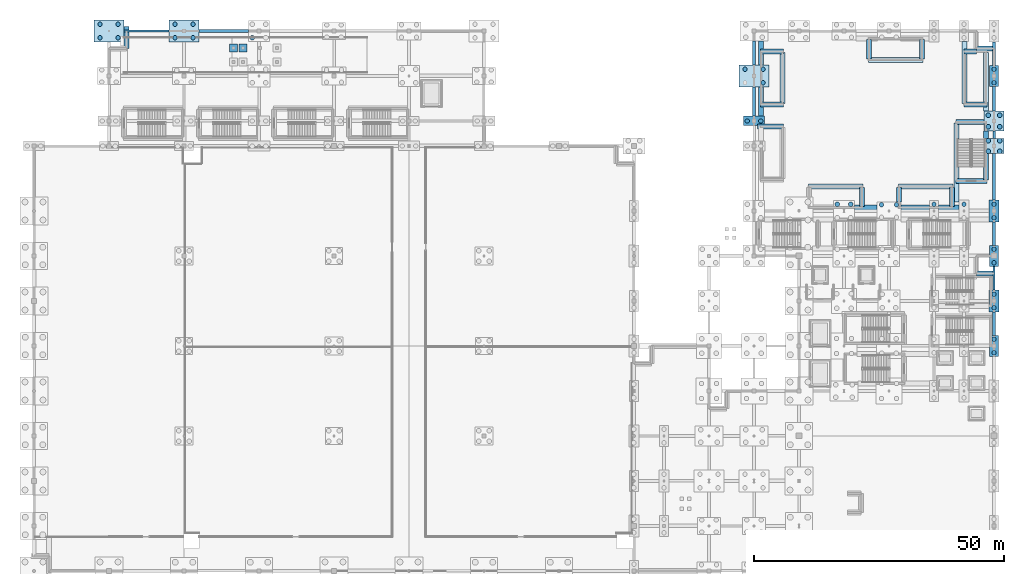
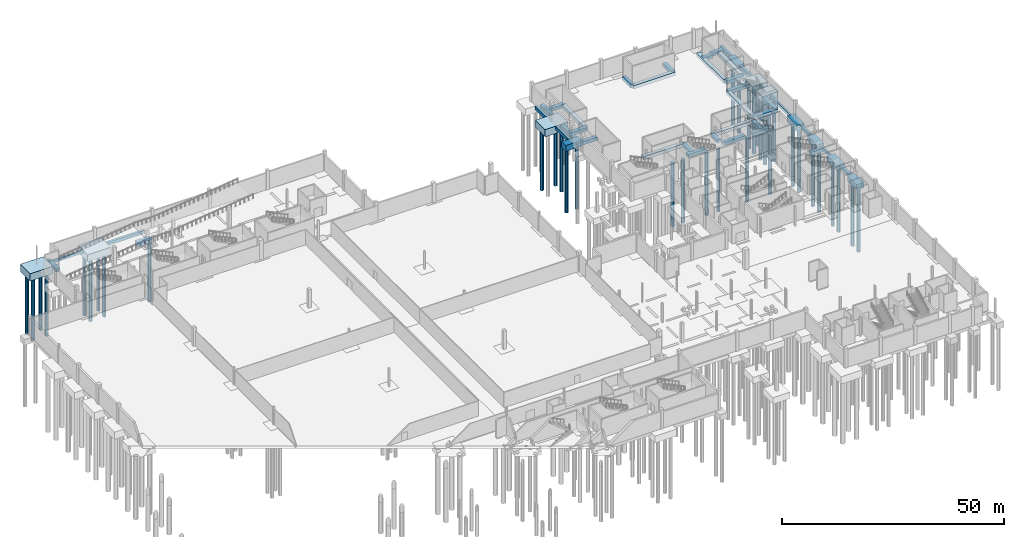
# One storey, part 10 of 58: 53 footings, 38 piles.
"""IFC4 building model written with IfcOpenShell, lengths in metres."""

from ifc_helpers import new_model, si_unit, direction, frame, origin, origin_2d, place, context, subcontext, project, spatial, rectangle, circle, extrude, material, material_profile, profile_set, type_object, element, save


model = new_model("IFC4")

# Units and contexts
model_context = context("Model", 3, precision=1e-05, world=origin(), true_north=direction((0.0, 1.0)))
body_context = subcontext(model_context, "Body", "Model", "MODEL_VIEW")
ifc_project = project(units=[si_unit("LENGTHUNIT", "METRE"), si_unit("AREAUNIT", "SQUARE_METRE"), si_unit("VOLUMEUNIT", "CUBIC_METRE"), si_unit("PLANEANGLEUNIT", "RADIAN"), si_unit("MASSUNIT", "GRAM", prefix="KILO")], contexts=[model_context])

# Site, building, storey
site_placement = place(None, origin())
site = spatial("IfcSite", under=ifc_project, at=site_placement, CompositionType="ELEMENT")
building_placement = place(site_placement, origin())
building = spatial("IfcBuilding", under=site, at=building_placement, Name="Qamarlyn Nura Convention Centre", CompositionType="ELEMENT")
storey_placement = place(building_placement, frame((0.0, 0.0, -5.39990234375)))
storey = spatial("IfcBuildingStorey", under=building, at=storey_placement, Name="B01", CompositionType="ELEMENT", Elevation=-5.39990234375)

# Footings
ifc_material = material(Name="Concrete C40/50", Category="concrete")
ifc_material_profile_1 = material_profile(ifc_material, rectangle(XDim=0.449951171875, YDim=0.75, at=origin_2d()), Name="RC GB 450x750")
ifc_profile_set_1 = profile_set([ifc_material_profile_1], Name="Concrete C40/50")
footing_type_1 = type_object("IfcFootingType", Name="GB-450X750", PredefinedType="FOOTING_BEAM", material=ifc_profile_set_1)
footing_1_placement = place(storey_placement, frame((18.0, 126.0, -0.375), z_axis=(1.0, 0.0, 0.0), x_axis=(0.0, 1.0, 0.0)))
element("IfcFooting", 1, at=footing_1_placement, inside=storey, type_object=footing_type_1, Name="Ground tie beam Q 2-3", PredefinedType="FOOTING_BEAM", context=body_context, shape_type="SweptSolid", body=[
    extrude(rectangle(XDim=0.449951171875, YDim=0.75, at=origin_2d()), origin(), (0.0, 0.0, 1.0), 9.0),
])
footing_2_placement = place(storey_placement, frame((192.0, 74.199951171875, -0.375), z_axis=(0.0, 1.0, 0.0), x_axis=(-1.0, 0.0, 0.0)))
element("IfcFooting", 2, at=footing_2_placement, inside=storey, type_object=footing_type_1, Name="Ground tie beam 18 J-K", PredefinedType="FOOTING_BEAM", context=body_context, shape_type="SweptSolid", body=[
    extrude(rectangle(XDim=0.449951171875, YDim=0.75, at=origin_2d()), origin(), (0.0, 0.0, 1.0), 4.699951171875),
])
ifc_material_profile_2 = material_profile(ifc_material, rectangle(XDim=0.5, YDim=0.800048828125, at=origin_2d()), Name="RC GB 500x800")
ifc_profile_set_2 = profile_set([ifc_material_profile_2], Name="Concrete C40/50")
footing_type_2 = type_object("IfcFootingType", Name="GB-500X800", PredefinedType="FOOTING_BEAM", material=ifc_profile_set_2)
footing_3_placement = place(storey_placement, frame((192.0, 104.5, -0.400146484375), z_axis=(0.0, 1.0, 0.0), x_axis=(-1.0, 0.0, 0.0)))
element("IfcFooting", 3, at=footing_3_placement, inside=storey, type_object=footing_type_2, Name="Ground tie beam 18 M-N", PredefinedType="FOOTING_BEAM", context=body_context, shape_type="SweptSolid", body=[
    extrude(rectangle(XDim=0.5, YDim=0.800048828125, at=origin_2d()), origin(), (0.0, 0.0, 1.0), 1.5),
])
ifc_material_profile_3 = material_profile(ifc_material, rectangle(XDim=0.550048828125, YDim=0.85009765625, at=origin_2d()), Name="RC GB 550x850")
ifc_profile_set_3 = profile_set([ifc_material_profile_3], Name="Concrete C40/50")
footing_type_3 = type_object("IfcFootingType", Name="GB-550X850", PredefinedType="FOOTING_BEAM", material=ifc_profile_set_3)
footing_4_placement = place(storey_placement, frame((192.0, 92.199951171875, -0.425048828125), z_axis=(0.0, 1.0, 0.0), x_axis=(-1.0, 0.0, 0.0)))
element("IfcFooting", 4, at=footing_4_placement, inside=storey, type_object=footing_type_3, Name="Ground tie beam 18 L-M", PredefinedType="FOOTING_BEAM", context=body_context, shape_type="SweptSolid", body=[
    extrude(rectangle(XDim=0.550048828125, YDim=0.85009765625, at=origin_2d()), origin(), (0.0, 0.0, 1.0), 9.300048828125),
])
ifc_material_profile_4 = material_profile(ifc_material, rectangle(XDim=0.60009765625, YDim=0.89990234375, at=origin_2d()), Name="RC GB 600x900")
ifc_profile_set_4 = profile_set([ifc_material_profile_4], Name="Concrete C40/50")
footing_type_4 = type_object("IfcFootingType", Name="GB-600X900", PredefinedType="FOOTING_BEAM", material=ifc_profile_set_4)
footing_5_placement = place(storey_placement, frame((33.0, 126.0, -0.4501953125), z_axis=(1.0, 0.0, 0.0), x_axis=(0.0, 1.0, 0.0)))
element("IfcFooting", 5, at=footing_5_placement, inside=storey, type_object=footing_type_4, Name="Ground tie beam Q 3-4", PredefinedType="FOOTING_BEAM", context=body_context, shape_type="SweptSolid", body=[
    extrude(rectangle(XDim=0.60009765625, YDim=0.89990234375, at=origin_2d()), origin(), (0.0, 0.0, 1.0), 9.89990234375),
])
footing_6_placement = place(storey_placement, frame((192.0, 83.10009765625, -0.4501953125), z_axis=(0.0, 1.0, 0.0), x_axis=(-1.0, 0.0, 0.0)))
element("IfcFooting", 6, at=footing_6_placement, inside=storey, type_object=footing_type_4, Name="Ground tie beam 18 K-L", PredefinedType="FOOTING_BEAM", context=body_context, shape_type="SweptSolid", body=[
    extrude(rectangle(XDim=0.60009765625, YDim=0.89990234375, at=origin_2d()), origin(), (0.0, 0.0, 1.0), 4.699951171875),
])
ifc_material_profile_5 = material_profile(ifc_material, rectangle(XDim=0.64990234375, YDim=0.949951171875, at=origin_2d()), Name="RC GB 650x950")
ifc_profile_set_5 = profile_set([ifc_material_profile_5], Name="Concrete C40/50")
footing_type_5 = type_object("IfcFootingType", Name="GB-650X950", PredefinedType="FOOTING_BEAM", material=ifc_profile_set_5)
footing_7_placement = place(storey_placement, frame((144.0, 108.949951171875, -0.47509765625), z_axis=(0.0, 1.0, 0.0), x_axis=(-1.0, 0.0, 0.0)))
element("IfcFooting", 7, at=footing_7_placement, inside=storey, type_object=footing_type_5, Name="Ground tie beam 12 N-P", PredefinedType="FOOTING_BEAM", context=body_context, shape_type="SweptSolid", body=[
    extrude(rectangle(XDim=0.64990234375, YDim=0.949951171875, at=origin_2d()), origin(), (0.0, 0.0, 1.0), 5.85009765625),
])
footing_8_placement = place(storey_placement, frame((192.0, 110.0, -0.47509765625), z_axis=(0.0, 1.0, 0.0), x_axis=(-1.0, 0.0, 0.0)))
element("IfcFooting", 8, at=footing_8_placement, inside=storey, type_object=footing_type_5, Name="Ground tie beam 18 N-P", PredefinedType="FOOTING_BEAM", context=body_context, shape_type="SweptSolid", body=[
    extrude(rectangle(XDim=0.64990234375, YDim=0.949951171875, at=origin_2d()), origin(), (0.0, 0.0, 1.0), 4.89990234375),
])
ifc_material_profile_6 = material_profile(ifc_material, rectangle(XDim=0.699951171875, YDim=1.0, at=origin_2d()), Name="RC GB 700x1000")
ifc_profile_set_6 = profile_set([ifc_material_profile_6], Name="Concrete C40/50")
footing_type_6 = type_object("IfcFootingType", Name="GB-700X1000", PredefinedType="FOOTING_BEAM", material=ifc_profile_set_6)
footing_9_placement = place(storey_placement, frame((144.0, 119.199951171875, -0.5), z_axis=(0.0, 1.0, 0.0), x_axis=(-1.0, 0.0, 0.0)))
element("IfcFooting", 9, at=footing_9_placement, inside=storey, type_object=footing_type_6, Name="Ground tie beam 12 P-Q", PredefinedType="FOOTING_BEAM", context=body_context, shape_type="SweptSolid", body=[
    extrude(rectangle(XDim=0.699951171875, YDim=1.0, at=origin_2d()), origin(), (0.0, 0.0, 1.0), 4.800048828125),
])
for number, where, z_axis, x_axis, name in (
    (10, (192.0, 65.10009765625, -0.5), (0.0, 1.0, 0.0), (-1.0, 0.0, 0.0), "Ground tie beam 18 H-J"),
    (11, (192.0, 119.10009765625, -0.5), (0.0, 1.0, 0.0), (-1.0, 0.0, 0.0), "Ground tie beam 18 P-Q"),
):
    element("IfcFooting", number, at=place(storey_placement, frame(where, z_axis=z_axis, x_axis=x_axis)), inside=storey, type_object=footing_type_6, Name=name, PredefinedType="FOOTING_BEAM", context=body_context, shape_type="SweptSolid", body=[
        extrude(rectangle(XDim=0.699951171875, YDim=1.0, at=origin_2d()), origin(), (0.0, 0.0, 1.0), 4.699951171875),
    ])
footing_type_7 = type_object("IfcFootingType", Name="PC-CORE-60X44", PredefinedType="PILE_CAP", material=ifc_material)
for number, where, z_axis, x_axis, name in (
    (12, (15.0, 126.0, -2.0), (0.0, 0.0, 1.0), (1.0, 0.0, 0.0), "Pile cap CAP-2-Q"),
    (13, (30.0, 126.0, -2.0), (0.0, 0.0, 1.0), (1.0, 0.0, 0.0), "Pile cap CAP-3-Q"),
    (14, (144.0, 117.0, -2.0), (0.0, 0.0, 1.0), (1.0, 0.0, 0.0), "Pile cap CAP-12-P"),
):
    element("IfcFooting", number, at=place(storey_placement, frame(where, z_axis=z_axis, x_axis=x_axis)), inside=storey, type_object=footing_type_7, Name=name, PredefinedType="PILE_CAP", context=body_context, shape_type="SweptSolid", body=[
        extrude(rectangle(XDim=6.0, YDim=4.39990234375, at=origin_2d()), origin(), (0.0, 0.0, 1.0), 2.0),
    ])
footing_type_8 = type_object("IfcFootingType", Name="PC-PAIR-19X42", PredefinedType="PILE_CAP", material=ifc_material)
for number, where, z_axis, x_axis, name in (
    (15, (192.0, 63.0, -1.55029296875), (0.0, 0.0, 1.0), (1.0, 0.0, 0.0), "Pile cap CAP-18-H"),
    (16, (192.0, 81.0, -1.55029296875), (0.0, 0.0, 1.0), (1.0, 0.0, 0.0), "Pile cap CAP-18-K"),
    (17, (192.0, 117.0, -1.55029296875), (0.0, 0.0, 1.0), (1.0, 0.0, 0.0), "Pile cap CAP-18-P"),
):
    element("IfcFooting", number, at=place(storey_placement, frame(where, z_axis=z_axis, x_axis=x_axis)), inside=storey, type_object=footing_type_8, Name=name, PredefinedType="PILE_CAP", context=body_context, shape_type="SweptSolid", body=[
        extrude(rectangle(XDim=1.89990234375, YDim=4.199951171875, at=origin_2d()), origin(), (0.0, 0.0, 1.0), 1.550048828125),
    ])
footing_type_9 = type_object("IfcFootingType", Name="PC-PAIR-20X44", PredefinedType="PILE_CAP", material=ifc_material)
for number, where, z_axis, x_axis, name in (
    (18, (192.0, 72.0, -1.650146484375), (0.0, 0.0, 1.0), (1.0, 0.0, 0.0), "Pile cap CAP-18-J"),
    (19, (192.0, 90.0, -1.650146484375), (0.0, 0.0, 1.0), (1.0, 0.0, 0.0), "Pile cap CAP-18-L"),
):
    element("IfcFooting", number, at=place(storey_placement, frame(where, z_axis=z_axis, x_axis=x_axis)), inside=storey, type_object=footing_type_9, Name=name, PredefinedType="PILE_CAP", context=body_context, shape_type="SweptSolid", body=[
        extrude(rectangle(XDim=2.0, YDim=4.39990234375, at=origin_2d()), origin(), (0.0, 0.0, 1.0), 1.64990234375),
    ])
footing_type_10 = type_object("IfcFootingType", Name="PC-PAIR-42X19", PredefinedType="PILE_CAP", material=ifc_material)
footing_10_placement = place(storey_placement, frame((144.0, 108.0, -1.60009765625), z_axis=(0.0, 0.0, 1.0), x_axis=(1.0, 0.0, 0.0)))
element("IfcFooting", 20, at=footing_10_placement, inside=storey, type_object=footing_type_10, Name="Pile cap CAP-12-N", PredefinedType="PILE_CAP", context=body_context, shape_type="SweptSolid", body=[
    extrude(rectangle(XDim=4.199951171875, YDim=1.89990234375, at=origin_2d()), origin(), (0.0, 0.0, 1.0), 1.60009765625),
])
footing_type_11 = type_object("IfcFootingType", Name="PC-RECT-40X30", PredefinedType="PILE_CAP", material=ifc_material)
footing_11_placement = place(storey_placement, frame((192.0, 103.0, -1.650146484375), z_axis=(0.0, 0.0, 1.0), x_axis=(1.0, 0.0, 0.0)))
element("IfcFooting", 21, at=footing_11_placement, inside=storey, type_object=footing_type_11, Name="Pile cap CAP-18-M", PredefinedType="PILE_CAP", context=body_context, shape_type="SweptSolid", body=[
    extrude(rectangle(XDim=4.0, YDim=3.0, at=origin_2d()), origin(), (0.0, 0.0, 1.0), 1.64990234375),
])
footing_type_12 = type_object("IfcFootingType", Name="PC-WING-40", PredefinedType="PILE_CAP", material=ifc_material)
footing_12_placement = place(storey_placement, frame((192.0, 108.0, -1.7001953125), z_axis=(0.0, 0.0, 1.0), x_axis=(1.0, 0.0, 0.0)))
element("IfcFooting", 22, at=footing_12_placement, inside=storey, type_object=footing_type_12, Name="Pile cap CAP-18-N", PredefinedType="PILE_CAP", context=body_context, shape_type="SweptSolid", body=[
    extrude(rectangle(XDim=4.0, YDim=4.0, at=origin_2d()), origin(), (0.0, 0.0, 1.0), 1.699951171875),
])
footing_type_13 = type_object("IfcFootingType", Name="PF-MID-160", PredefinedType="PAD_FOOTING", material=ifc_material)
for number, where, z_axis, x_axis, name in (
    (23, (39.89990234375, 122.60009765625, -0.900146484375), (0.0, 0.0, 1.0), (1.0, 0.0, 0.0), "Ramp support pad footing 3"),
    (24, (41.800048828125, 122.60009765625, -0.900146484375), (0.0, 0.0, 1.0), (1.0, 0.0, 0.0), "Ramp support pad footing 4"),
):
    element("IfcFooting", number, at=place(storey_placement, frame(where, z_axis=z_axis, x_axis=x_axis)), inside=storey, type_object=footing_type_13, Name=name, PredefinedType="PAD_FOOTING", context=body_context, shape_type="SweptSolid", body=[
        extrude(rectangle(XDim=1.60009765625, YDim=1.60009765625, at=origin_2d()), origin(), (0.0, 0.0, 1.0), 0.89990234375),
    ])

# Piles
ifc_material_profile_7 = material_profile(ifc_material, circle(Radius=0.449951171875, at=origin_2d()), Name="BORED PILE 900")
ifc_profile_set_7 = profile_set([ifc_material_profile_7], Name="Concrete C40/50")
pile_type = type_object("IfcPileType", Name="PILE-900", PredefinedType="BORED", material=ifc_profile_set_7)
for number, where, z_axis, x_axis, name in (
    (25, (13.199951171875, 124.64990234375, -1.85009765625), (0.0, 0.0, -1.0), (1.0, 0.0, 0.0), "Bored pile PILE-2-Q-1"),
    (26, (16.800048828125, 124.64990234375, -1.85009765625), (0.0, 0.0, -1.0), (1.0, 0.0, 0.0), "Bored pile PILE-2-Q-2"),
    (27, (13.199951171875, 127.35009765625, -1.85009765625), (0.0, 0.0, -1.0), (1.0, 0.0, 0.0), "Bored pile PILE-2-Q-3"),
    (28, (16.800048828125, 127.35009765625, -1.85009765625), (0.0, 0.0, -1.0), (1.0, 0.0, 0.0), "Bored pile PILE-2-Q-4"),
    (29, (28.199951171875, 124.64990234375, -1.85009765625), (0.0, 0.0, -1.0), (1.0, 0.0, 0.0), "Bored pile PILE-3-Q-1"),
    (30, (31.800048828125, 124.64990234375, -1.85009765625), (0.0, 0.0, -1.0), (1.0, 0.0, 0.0), "Bored pile PILE-3-Q-2"),
    (31, (28.199951171875, 127.35009765625, -1.85009765625), (0.0, 0.0, -1.0), (1.0, 0.0, 0.0), "Bored pile PILE-3-Q-3"),
    (32, (31.800048828125, 127.35009765625, -1.85009765625), (0.0, 0.0, -1.0), (1.0, 0.0, 0.0), "Bored pile PILE-3-Q-4"),
):
    element("IfcPile", number, at=place(storey_placement, frame(where, z_axis=z_axis, x_axis=x_axis)), inside=storey, type_object=pile_type, Name=name, PredefinedType="BORED", context=body_context, shape_type="SweptSolid", body=[
        extrude(circle(Radius=0.449951171875, at=origin_2d()), origin(), (0.0, 0.0, 1.0), 17.25),
    ])
pile_1_placement = place(storey_placement, frame((43.64990234375, 124.64990234375, -1.60009765625), z_axis=(0.0, 0.0, -1.0), x_axis=(1.0, 0.0, 0.0)))
element("IfcPile", 33, at=pile_1_placement, inside=storey, type_object=pile_type, Name="Bored pile PILE-4-Q-1", PredefinedType="BORED", context=body_context, shape_type="SweptSolid", body=[
    extrude(circle(Radius=0.449951171875, at=origin_2d()), origin(), (0.0, 0.0, 1.0), 17.5),
])
for number, where, z_axis, x_axis, name in (
    (34, (142.64990234375, 108.0, -1.4501953125), (0.0, 0.0, -1.0), (1.0, 0.0, 0.0), "Bored pile PILE-12-N-1"),
    (35, (145.35009765625, 108.0, -1.4501953125), (0.0, 0.0, -1.0), (1.0, 0.0, 0.0), "Bored pile PILE-12-N-2"),
):
    element("IfcPile", number, at=place(storey_placement, frame(where, z_axis=z_axis, x_axis=x_axis)), inside=storey, type_object=pile_type, Name=name, PredefinedType="BORED", context=body_context, shape_type="SweptSolid", body=[
        extrude(circle(Radius=0.449951171875, at=origin_2d()), origin(), (0.0, 0.0, 1.0), 17.64990234375),
    ])
for number, where, z_axis, x_axis, name in (
    (36, (145.800048828125, 115.64990234375, -1.85009765625), (0.0, 0.0, -1.0), (1.0, 0.0, 0.0), "Bored pile PILE-12-P-2"),
    (37, (142.199951171875, 118.35009765625, -1.85009765625), (0.0, 0.0, -1.0), (1.0, 0.0, 0.0), "Bored pile PILE-12-P-3"),
    (38, (145.800048828125, 118.35009765625, -1.85009765625), (0.0, 0.0, -1.0), (1.0, 0.0, 0.0), "Bored pile PILE-12-P-4"),
):
    element("IfcPile", number, at=place(storey_placement, frame(where, z_axis=z_axis, x_axis=x_axis)), inside=storey, type_object=pile_type, Name=name, PredefinedType="BORED", context=body_context, shape_type="SweptSolid", body=[
        extrude(circle(Radius=0.449951171875, at=origin_2d()), origin(), (0.0, 0.0, 1.0), 17.25),
    ])
for number, where, z_axis, x_axis, name in (
    (39, (160.64990234375, 91.35009765625, -1.60009765625), (0.0, 0.0, -1.0), (1.0, 0.0, 0.0), "Bored pile PILE-14-L-3"),
    (40, (163.35009765625, 91.35009765625, -1.60009765625), (0.0, 0.0, -1.0), (1.0, 0.0, 0.0), "Bored pile PILE-14-L-4"),
):
    element("IfcPile", number, at=place(storey_placement, frame(where, z_axis=z_axis, x_axis=x_axis)), inside=storey, type_object=pile_type, Name=name, PredefinedType="BORED", context=body_context, shape_type="SweptSolid", body=[
        extrude(circle(Radius=0.449951171875, at=origin_2d()), origin(), (0.0, 0.0, 1.0), 17.5),
    ])
for number, where, z_axis, x_axis, name in (
    (41, (169.5, 91.25, -1.650146484375), (0.0, 0.0, -1.0), (1.0, 0.0, 0.0), "Bored pile PILE-15-L-3"),
    (42, (172.5, 91.25, -1.650146484375), (0.0, 0.0, -1.0), (1.0, 0.0, 0.0), "Bored pile PILE-15-L-4"),
):
    element("IfcPile", number, at=place(storey_placement, frame(where, z_axis=z_axis, x_axis=x_axis)), inside=storey, type_object=pile_type, Name=name, PredefinedType="BORED", context=body_context, shape_type="SweptSolid", body=[
        extrude(circle(Radius=0.449951171875, at=origin_2d()), origin(), (0.0, 0.0, 1.0), 17.449951171875),
    ])
pile_2_placement = place(storey_placement, frame((180.0, 91.35009765625, -1.400146484375), z_axis=(0.0, 0.0, -1.0), x_axis=(1.0, 0.0, 0.0)))
element("IfcPile", 43, at=pile_2_placement, inside=storey, type_object=pile_type, Name="Bored pile PILE-16-L-2", PredefinedType="BORED", context=body_context, shape_type="SweptSolid", body=[
    extrude(circle(Radius=0.449951171875, at=origin_2d()), origin(), (0.0, 0.0, 1.0), 17.699951171875),
])
pile_3_placement = place(storey_placement, frame((186.0, 91.35009765625, -1.5), z_axis=(0.0, 0.0, -1.0), x_axis=(1.0, 0.0, 0.0)))
element("IfcPile", 44, at=pile_3_placement, inside=storey, type_object=pile_type, Name="Bored pile PILE-17-L-2", PredefinedType="BORED", context=body_context, shape_type="SweptSolid", body=[
    extrude(circle(Radius=0.449951171875, at=origin_2d()), origin(), (0.0, 0.0, 1.0), 17.60009765625),
])
for number, where, z_axis, x_axis, name in (
    (45, (192.0, 61.64990234375, -1.400146484375), (0.0, 0.0, -1.0), (1.0, 0.0, 0.0), "Bored pile PILE-18-H-1"),
    (46, (192.0, 64.35009765625, -1.400146484375), (0.0, 0.0, -1.0), (1.0, 0.0, 0.0), "Bored pile PILE-18-H-2"),
):
    element("IfcPile", number, at=place(storey_placement, frame(where, z_axis=z_axis, x_axis=x_axis)), inside=storey, type_object=pile_type, Name=name, PredefinedType="BORED", context=body_context, shape_type="SweptSolid", body=[
        extrude(circle(Radius=0.449951171875, at=origin_2d()), origin(), (0.0, 0.0, 1.0), 17.699951171875),
    ])
for number, where, z_axis, x_axis, name in (
    (47, (192.0, 70.64990234375, -1.5), (0.0, 0.0, -1.0), (1.0, 0.0, 0.0), "Bored pile PILE-18-J-1"),
    (48, (192.0, 73.35009765625, -1.5), (0.0, 0.0, -1.0), (1.0, 0.0, 0.0), "Bored pile PILE-18-J-2"),
):
    element("IfcPile", number, at=place(storey_placement, frame(where, z_axis=z_axis, x_axis=x_axis)), inside=storey, type_object=pile_type, Name=name, PredefinedType="BORED", context=body_context, shape_type="SweptSolid", body=[
        extrude(circle(Radius=0.449951171875, at=origin_2d()), origin(), (0.0, 0.0, 1.0), 17.60009765625),
    ])
for number, where, z_axis, x_axis, name in (
    (49, (192.0, 79.64990234375, -1.400146484375), (0.0, 0.0, -1.0), (1.0, 0.0, 0.0), "Bored pile PILE-18-K-1"),
    (50, (192.0, 82.35009765625, -1.400146484375), (0.0, 0.0, -1.0), (1.0, 0.0, 0.0), "Bored pile PILE-18-K-2"),
):
    element("IfcPile", number, at=place(storey_placement, frame(where, z_axis=z_axis, x_axis=x_axis)), inside=storey, type_object=pile_type, Name=name, PredefinedType="BORED", context=body_context, shape_type="SweptSolid", body=[
        extrude(circle(Radius=0.449951171875, at=origin_2d()), origin(), (0.0, 0.0, 1.0), 17.699951171875),
    ])
for number, where, z_axis, x_axis, name in (
    (51, (192.0, 88.64990234375, -1.5), (0.0, 0.0, -1.0), (1.0, 0.0, 0.0), "Bored pile PILE-18-L-1"),
    (52, (192.0, 91.35009765625, -1.5), (0.0, 0.0, -1.0), (1.0, 0.0, 0.0), "Bored pile PILE-18-L-2"),
    (53, (190.85009765625, 101.949951171875, -1.5), (0.0, 0.0, -1.0), (1.0, 0.0, 0.0), "Bored pile PILE-18-M-1"),
    (54, (193.14990234375, 101.949951171875, -1.5), (0.0, 0.0, -1.0), (1.0, 0.0, 0.0), "Bored pile PILE-18-M-2"),
    (55, (190.85009765625, 104.050048828125, -1.5), (0.0, 0.0, -1.0), (1.0, 0.0, 0.0), "Bored pile PILE-18-M-3"),
    (56, (193.14990234375, 104.050048828125, -1.5), (0.0, 0.0, -1.0), (1.0, 0.0, 0.0), "Bored pile PILE-18-M-4"),
):
    element("IfcPile", number, at=place(storey_placement, frame(where, z_axis=z_axis, x_axis=x_axis)), inside=storey, type_object=pile_type, Name=name, PredefinedType="BORED", context=body_context, shape_type="SweptSolid", body=[
        extrude(circle(Radius=0.449951171875, at=origin_2d()), origin(), (0.0, 0.0, 1.0), 17.60009765625),
    ])
for number, where, z_axis, x_axis, name in (
    (57, (190.85009765625, 106.85009765625, -1.550048828125), (0.0, 0.0, -1.0), (1.0, 0.0, 0.0), "Bored pile PILE-18-N-1"),
    (58, (193.14990234375, 106.85009765625, -1.550048828125), (0.0, 0.0, -1.0), (1.0, 0.0, 0.0), "Bored pile PILE-18-N-2"),
    (59, (190.85009765625, 109.14990234375, -1.550048828125), (0.0, 0.0, -1.0), (1.0, 0.0, 0.0), "Bored pile PILE-18-N-3"),
    (60, (193.14990234375, 109.14990234375, -1.550048828125), (0.0, 0.0, -1.0), (1.0, 0.0, 0.0), "Bored pile PILE-18-N-4"),
):
    element("IfcPile", number, at=place(storey_placement, frame(where, z_axis=z_axis, x_axis=x_axis)), inside=storey, type_object=pile_type, Name=name, PredefinedType="BORED", context=body_context, shape_type="SweptSolid", body=[
        extrude(circle(Radius=0.449951171875, at=origin_2d()), origin(), (0.0, 0.0, 1.0), 17.550048828125),
    ])
for number, where, z_axis, x_axis, name in (
    (61, (192.0, 115.64990234375, -1.400146484375), (0.0, 0.0, -1.0), (1.0, 0.0, 0.0), "Bored pile PILE-18-P-1"),
    (62, (192.0, 118.35009765625, -1.400146484375), (0.0, 0.0, -1.0), (1.0, 0.0, 0.0), "Bored pile PILE-18-P-2"),
):
    element("IfcPile", number, at=place(storey_placement, frame(where, z_axis=z_axis, x_axis=x_axis)), inside=storey, type_object=pile_type, Name=name, PredefinedType="BORED", context=body_context, shape_type="SweptSolid", body=[
        extrude(circle(Radius=0.449951171875, at=origin_2d()), origin(), (0.0, 0.0, 1.0), 17.699951171875),
    ])

# Footings
ifc_material_profile_8 = material_profile(ifc_material, rectangle(XDim=1.0, YDim=0.89990234375, at=origin_2d()), Name="RC STRIP 1000x900")
ifc_profile_set_8 = profile_set([ifc_material_profile_8], Name="Concrete C40/50")
footing_type_14 = type_object("IfcFootingType", Name="SF-WALL-1000", PredefinedType="STRIP_FOOTING", material=ifc_profile_set_8)
footing_13_placement = place(storey_placement, frame((18.5, 122.5, -0.4501953125), z_axis=(0.0, 1.0, 0.0), x_axis=(-1.0, 0.0, 0.0)))
element("IfcFooting", 63, at=footing_13_placement, inside=storey, type_object=footing_type_14, Name="Strip footing WRET-B01-17-1", PredefinedType="STRIP_FOOTING", context=body_context, shape_type="SweptSolid", body=[
    extrude(rectangle(XDim=1.0, YDim=0.89990234375, at=origin_2d()), origin(), (0.0, 0.0, 1.0), 4.35009765625),
])
for number, where, z_axis, x_axis, name in (
    (64, (188.5, 122.5, -0.4501953125), (1.0, 0.0, 0.0), (0.0, 1.0, 0.0), "Strip footing WRET-B01-60-1"),
    (65, (188.5, 77.5, -0.4501953125), (1.0, 0.0, 0.0), (0.0, 1.0, 0.0), "Strip footing WRET-B01-68-1"),
):
    element("IfcFooting", number, at=place(storey_placement, frame(where, z_axis=z_axis, x_axis=x_axis)), inside=storey, type_object=footing_type_14, Name=name, PredefinedType="STRIP_FOOTING", context=body_context, shape_type="SweptSolid", body=[
        extrude(rectangle(XDim=1.0, YDim=0.89990234375, at=origin_2d()), origin(), (0.0, 0.0, 1.0), 3.5),
    ])
footing_14_placement = place(storey_placement, frame((184.35009765625, 96.02490234375, -0.4501953125), z_axis=(1.0, 0.0, 0.0), x_axis=(0.0, 1.0, 0.0)))
element("IfcFooting", 66, at=footing_14_placement, inside=storey, type_object=footing_type_14, Name="Strip footing WST-ST-18-B01-S-1", PredefinedType="STRIP_FOOTING", context=body_context, shape_type="SweptSolid", body=[
    extrude(rectangle(XDim=1.0, YDim=0.89990234375, at=origin_2d()), origin(), (0.0, 0.0, 1.0), 6.199951171875),
])
footing_15_placement = place(storey_placement, frame((190.0, 107.77490234375, -0.4501953125), z_axis=(-1.0, 0.0, 0.0), x_axis=(0.0, -1.0, 0.0)))
element("IfcFooting", 67, at=footing_15_placement, inside=storey, type_object=footing_type_14, Name="Strip footing WST-ST-18-B01-N-1", PredefinedType="STRIP_FOOTING", context=body_context, shape_type="SweptSolid", body=[
    extrude(rectangle(XDim=1.0, YDim=0.89990234375, at=origin_2d()), origin(), (0.0, 0.0, 1.0), 5.64990234375),
])
footing_16_placement = place(storey_placement, frame((184.52490234375, 107.60009765625, -0.4501953125), z_axis=(0.0, -1.0, 0.0), x_axis=(1.0, 0.0, 0.0)))
element("IfcFooting", 68, at=footing_16_placement, inside=storey, type_object=footing_type_14, Name="Strip footing WST-ST-18-B01-W-1", PredefinedType="STRIP_FOOTING", context=body_context, shape_type="SweptSolid", body=[
    extrude(rectangle(XDim=1.0, YDim=0.89990234375, at=origin_2d()), origin(), (0.0, 0.0, 1.0), 15.778076171875),
])
footing_17_placement = place(storey_placement, frame((190.375, 96.199951171875, -0.4501953125), z_axis=(0.0, 1.0, 0.0), x_axis=(-1.0, 0.0, 0.0)))
element("IfcFooting", 69, at=footing_17_placement, inside=storey, type_object=footing_type_14, Name="Strip footing WST-ST-18-B01-E-1", PredefinedType="STRIP_FOOTING", context=body_context, shape_type="SweptSolid", body=[
    extrude(rectangle(XDim=1.0, YDim=0.89990234375, at=origin_2d()), origin(), (0.0, 0.0, 1.0), 5.300048828125),
])
footing_18_placement = place(storey_placement, frame((190.375, 104.5, -0.4501953125), z_axis=(0.0, 1.0, 0.0), x_axis=(-1.0, 0.0, 0.0)))
element("IfcFooting", 70, at=footing_18_placement, inside=storey, type_object=footing_type_14, Name="Strip footing WST-ST-18-B01-E-2", PredefinedType="STRIP_FOOTING", context=body_context, shape_type="SweptSolid", body=[
    extrude(rectangle(XDim=1.0, YDim=0.89990234375, at=origin_2d()), origin(), (0.0, 0.0, 1.0), 1.5),
])
footing_19_placement = place(storey_placement, frame((149.85009765625, 106.875, -0.4501953125), z_axis=(-1.0, 0.0, 0.0), x_axis=(0.0, -1.0, 0.0)))
element("IfcFooting", 71, at=footing_19_placement, inside=storey, type_object=footing_type_14, Name="Strip footing WST-ST-VOM1-B01-N-1", PredefinedType="STRIP_FOOTING", context=body_context, shape_type="SweptSolid", body=[
    extrude(rectangle(XDim=1.0, YDim=0.89990234375, at=origin_2d()), origin(), (0.0, 0.0, 1.0), 5.10498046875),
])
for number, where, z_axis, x_axis, name in (
    (72, (145.27001953125, 111.324951171875, -0.4501953125), (1.0, 0.0, 0.0), (0.0, 1.0, 0.0), "Strip footing WST-ST-VOM2-B01-S-1"),
    (73, (149.85009765625, 121.875, -0.4501953125), (-1.0, 0.0, 0.0), (0.0, -1.0, 0.0), "Strip footing WST-ST-VOM2-B01-N-1"),
):
    element("IfcFooting", number, at=place(storey_placement, frame(where, z_axis=z_axis, x_axis=x_axis)), inside=storey, type_object=footing_type_14, Name=name, PredefinedType="STRIP_FOOTING", context=body_context, shape_type="SweptSolid", body=[
        extrude(rectangle(XDim=1.0, YDim=0.89990234375, at=origin_2d()), origin(), (0.0, 0.0, 1.0), 4.580078125),
    ])
footing_20_placement = place(storey_placement, frame((145.445068359375, 124.0, -0.4501953125), z_axis=(0.0, -1.0, 0.0), x_axis=(1.0, 0.0, 0.0)))
element("IfcFooting", 74, at=footing_20_placement, inside=storey, type_object=footing_type_14, Name="Strip footing WST-ST-VOM2-B01-W-1", PredefinedType="STRIP_FOOTING", context=body_context, shape_type="SweptSolid", body=[
    extrude(rectangle(XDim=1.0, YDim=0.89990234375, at=origin_2d()), origin(), (0.0, 0.0, 1.0), 4.800048828125),
])
footing_21_placement = place(storey_placement, frame((145.445068359375, 114.800048828125, -0.4501953125), z_axis=(0.0, -1.0, 0.0), x_axis=(1.0, 0.0, 0.0)))
element("IfcFooting", 75, at=footing_21_placement, inside=storey, type_object=footing_type_14, Name="Strip footing WST-ST-VOM2-B01-W-2", PredefinedType="STRIP_FOOTING", context=body_context, shape_type="SweptSolid", body=[
    extrude(rectangle(XDim=1.0, YDim=0.89990234375, at=origin_2d()), origin(), (0.0, 0.0, 1.0), 5.85009765625),
])
footing_22_placement = place(storey_placement, frame((149.675048828125, 111.5, -0.4501953125), z_axis=(0.0, 1.0, 0.0), x_axis=(-1.0, 0.0, 0.0)))
element("IfcFooting", 76, at=footing_22_placement, inside=storey, type_object=footing_type_14, Name="Strip footing WST-ST-VOM2-B01-E-1", PredefinedType="STRIP_FOOTING", context=body_context, shape_type="SweptSolid", body=[
    extrude(rectangle(XDim=1.0, YDim=0.89990234375, at=origin_2d()), origin(), (0.0, 0.0, 1.0), 10.199951171875),
])
footing_23_placement = place(storey_placement, frame((164.10009765625, 90.675048828125, -0.4501953125), z_axis=(1.0, 0.0, 0.0), x_axis=(0.0, 1.0, 0.0)))
element("IfcFooting", 77, at=footing_23_placement, inside=storey, type_object=footing_type_14, Name="Strip footing WST-ST-VOM3-B01-S-2", PredefinedType="STRIP_FOOTING", context=body_context, shape_type="SweptSolid", body=[
    extrude(rectangle(XDim=1.0, YDim=0.89990234375, at=origin_2d()), origin(), (0.0, 0.0, 1.0), 4.5),
])
footing_24_placement = place(storey_placement, frame((165.75, 94.905029296875, -0.4501953125), z_axis=(-1.0, 0.0, 0.0), x_axis=(0.0, -1.0, 0.0)))
element("IfcFooting", 78, at=footing_24_placement, inside=storey, type_object=footing_type_14, Name="Strip footing WST-ST-VOM3-B01-N-1", PredefinedType="STRIP_FOOTING", context=body_context, shape_type="SweptSolid", body=[
    extrude(rectangle(XDim=1.0, YDim=0.89990234375, at=origin_2d()), origin(), (0.0, 0.0, 1.0), 10.89990234375),
])
footing_25_placement = place(storey_placement, frame((165.574951171875, 90.85009765625, -0.4501953125), z_axis=(0.0, 1.0, 0.0), x_axis=(-1.0, 0.0, 0.0)))
element("IfcFooting", 79, at=footing_25_placement, inside=storey, type_object=footing_type_14, Name="Strip footing WST-ST-VOM3-B01-E-1", PredefinedType="STRIP_FOOTING", context=body_context, shape_type="SweptSolid", body=[
    extrude(rectangle(XDim=1.0, YDim=0.89990234375, at=origin_2d()), origin(), (0.0, 0.0, 1.0), 3.8798828125),
])
footing_26_placement = place(storey_placement, frame((173.39990234375, 90.675048828125, -0.4501953125), z_axis=(1.0, 0.0, 0.0), x_axis=(0.0, 1.0, 0.0)))
element("IfcFooting", 80, at=footing_26_placement, inside=storey, type_object=footing_type_14, Name="Strip footing WST-ST-VOM4-B01-S-1", PredefinedType="STRIP_FOOTING", context=body_context, shape_type="SweptSolid", body=[
    extrude(rectangle(XDim=1.0, YDim=0.89990234375, at=origin_2d()), origin(), (0.0, 0.0, 1.0), 5.650146484375),
])
footing_27_placement = place(storey_placement, frame((180.949951171875, 90.675048828125, -0.4501953125), z_axis=(1.0, 0.0, 0.0), x_axis=(0.0, 1.0, 0.0)))
element("IfcFooting", 81, at=footing_27_placement, inside=storey, type_object=footing_type_14, Name="Strip footing WST-ST-VOM4-B01-S-2", PredefinedType="STRIP_FOOTING", context=body_context, shape_type="SweptSolid", body=[
    extrude(rectangle(XDim=1.0, YDim=0.89990234375, at=origin_2d()), origin(), (0.0, 0.0, 1.0), 4.050048828125),
])
footing_28_placement = place(storey_placement, frame((183.75, 94.905029296875, -0.4501953125), z_axis=(-1.0, 0.0, 0.0), x_axis=(0.0, -1.0, 0.0)))
element("IfcFooting", 82, at=footing_28_placement, inside=storey, type_object=footing_type_14, Name="Strip footing WST-ST-VOM4-B01-N-1", PredefinedType="STRIP_FOOTING", context=body_context, shape_type="SweptSolid", body=[
    extrude(rectangle(XDim=1.0, YDim=0.89990234375, at=origin_2d()), origin(), (0.0, 0.0, 1.0), 10.89990234375),
])
footing_29_placement = place(storey_placement, frame((173.02490234375, 94.72998046875, -0.4501953125), z_axis=(0.0, -1.0, 0.0), x_axis=(1.0, 0.0, 0.0)))
element("IfcFooting", 83, at=footing_29_placement, inside=storey, type_object=footing_type_14, Name="Strip footing WST-ST-VOM4-B01-W-1", PredefinedType="STRIP_FOOTING", context=body_context, shape_type="SweptSolid", body=[
    extrude(rectangle(XDim=1.0, YDim=0.89990234375, at=origin_2d()), origin(), (0.0, 0.0, 1.0), 2.929931640625),
])
footing_30_placement = place(storey_placement, frame((183.574951171875, 90.85009765625, -0.4501953125), z_axis=(0.0, 1.0, 0.0), x_axis=(-1.0, 0.0, 0.0)))
element("IfcFooting", 84, at=footing_30_placement, inside=storey, type_object=footing_type_14, Name="Strip footing WST-ST-VOM4-B01-E-1", PredefinedType="STRIP_FOOTING", context=body_context, shape_type="SweptSolid", body=[
    extrude(rectangle(XDim=1.0, YDim=0.89990234375, at=origin_2d()), origin(), (0.0, 0.0, 1.0), 3.8798828125),
])
footing_31_placement = place(storey_placement, frame((166.85009765625, 120.22509765625, -0.4501953125), z_axis=(1.0, 0.0, 0.0), x_axis=(0.0, 1.0, 0.0)))
element("IfcFooting", 85, at=footing_31_placement, inside=storey, type_object=footing_type_14, Name="Strip footing WST-ST-VOM5-B01-S-1", PredefinedType="STRIP_FOOTING", context=body_context, shape_type="SweptSolid", body=[
    extrude(rectangle(XDim=1.0, YDim=0.89990234375, at=origin_2d()), origin(), (0.0, 0.0, 1.0), 10.89990234375),
])
for number, where, z_axis, x_axis, name in (
    (86, (167.02490234375, 124.280029296875, -0.4501953125), (0.0, -1.0, 0.0), (1.0, 0.0, 0.0), "Strip footing WST-ST-VOM5-B01-W-1"),
    (87, (177.574951171875, 120.39990234375, -0.4501953125), (0.0, 1.0, 0.0), (-1.0, 0.0, 0.0), "Strip footing WST-ST-VOM5-B01-E-1"),
):
    element("IfcFooting", number, at=place(storey_placement, frame(where, z_axis=z_axis, x_axis=x_axis)), inside=storey, type_object=footing_type_14, Name=name, PredefinedType="STRIP_FOOTING", context=body_context, shape_type="SweptSolid", body=[
        extrude(rectangle(XDim=1.0, YDim=0.89990234375, at=origin_2d()), origin(), (0.0, 0.0, 1.0), 3.880126953125),
    ])
footing_32_placement = place(storey_placement, frame((185.969970703125, 111.324951171875, -0.4501953125), z_axis=(1.0, 0.0, 0.0), x_axis=(0.0, 1.0, 0.0)))
element("IfcFooting", 88, at=footing_32_placement, inside=storey, type_object=footing_type_14, Name="Strip footing WST-ST-VOM6-B01-S-1", PredefinedType="STRIP_FOOTING", context=body_context, shape_type="SweptSolid", body=[
    extrude(rectangle(XDim=1.0, YDim=0.89990234375, at=origin_2d()), origin(), (0.0, 0.0, 1.0), 4.580078125),
])
footing_33_placement = place(storey_placement, frame((188.5, 121.875, -0.4501953125), z_axis=(-1.0, 0.0, 0.0), x_axis=(0.0, -1.0, 0.0)))
element("IfcFooting", 89, at=footing_33_placement, inside=storey, type_object=footing_type_14, Name="Strip footing WST-ST-VOM6-B01-N-1", PredefinedType="STRIP_FOOTING", context=body_context, shape_type="SweptSolid", body=[
    extrude(rectangle(XDim=1.0, YDim=0.89990234375, at=origin_2d()), origin(), (0.0, 0.0, 1.0), 2.530029296875),
])
footing_34_placement = place(storey_placement, frame((186.14501953125, 123.89990234375, -0.4501953125), z_axis=(0.0, -1.0, 0.0), x_axis=(1.0, 0.0, 0.0)))
element("IfcFooting", 90, at=footing_34_placement, inside=storey, type_object=footing_type_14, Name="Strip footing WST-ST-VOM6-B01-W-1", PredefinedType="STRIP_FOOTING", context=body_context, shape_type="SweptSolid", body=[
    extrude(rectangle(XDim=1.0, YDim=0.89990234375, at=origin_2d()), origin(), (0.0, 0.0, 1.0), 12.39990234375),
])
footing_35_placement = place(storey_placement, frame((190.375, 110.0, -0.4501953125), z_axis=(0.0, 1.0, 0.0), x_axis=(-1.0, 0.0, 0.0)))
element("IfcFooting", 91, at=footing_35_placement, inside=storey, type_object=footing_type_14, Name="Strip footing WST-ST-VOM6-B01-E-1", PredefinedType="STRIP_FOOTING", context=body_context, shape_type="SweptSolid", body=[
    extrude(rectangle(XDim=1.0, YDim=0.89990234375, at=origin_2d()), origin(), (0.0, 0.0, 1.0), 11.699951171875),
])

save(model, "model.ifc")
